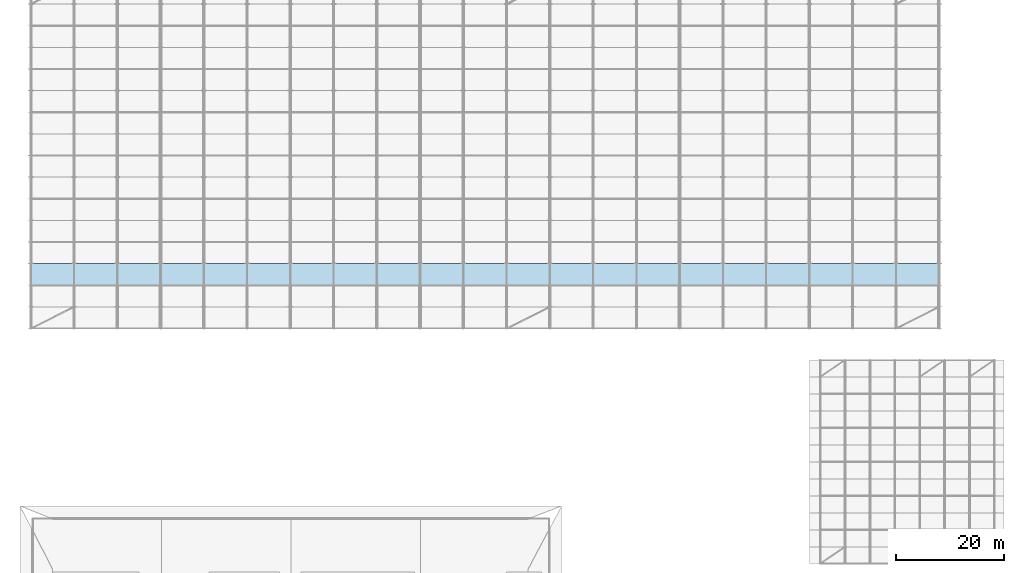
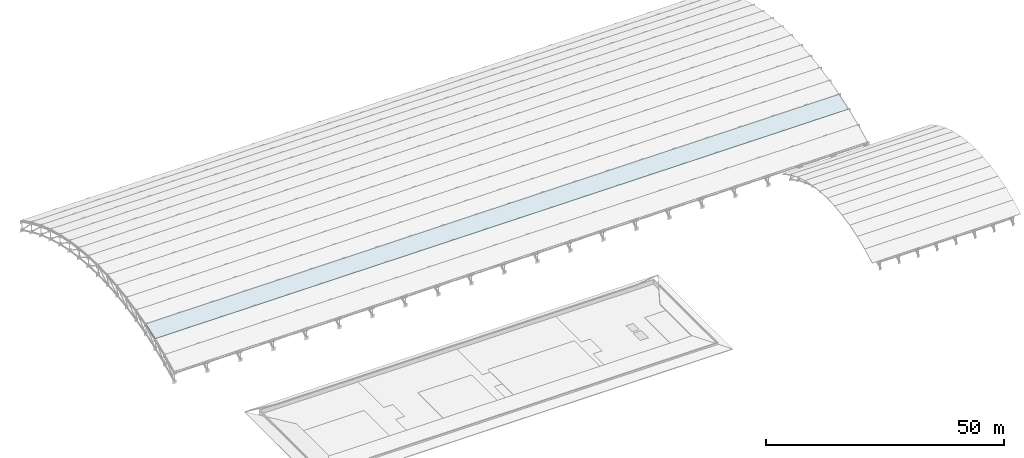
# One storey, part 66 of 98: 1 slab.
"""IFC4 building model written with IfcOpenShell, lengths in metres."""

from ifc_helpers import new_model, si_unit, direction, frame, origin, place, context, subcontext, project, spatial, polyline, outline, extrude, material, layer, layer_set, type_object, element, save


model = new_model("IFC4")

# Units and contexts
model_context = context("Model", 3, precision=1e-05, world=origin(), true_north=direction((0.0, 1.0)))
body_context = subcontext(model_context, "Body", "Model", "MODEL_VIEW")
ifc_project = project(units=[si_unit("LENGTHUNIT", "METRE"), si_unit("AREAUNIT", "SQUARE_METRE"), si_unit("VOLUMEUNIT", "CUBIC_METRE"), si_unit("PLANEANGLEUNIT", "RADIAN"), si_unit("MASSUNIT", "GRAM", prefix="KILO")], contexts=[model_context])

# Site, building, storey
site_placement = place(None, origin())
site = spatial("IfcSite", under=ifc_project, at=site_placement, CompositionType="ELEMENT")
building_placement = place(site_placement, origin())
building = spatial("IfcBuilding", under=site, at=building_placement, Name="Tlacozan Convention Centre", CompositionType="ELEMENT")
storey_placement = place(building_placement, frame((0.0, 0.0, 25.800048828125)))
storey = spatial("IfcBuildingStorey", under=building, at=storey_placement, Name="Roof", CompositionType="ELEMENT", Elevation=25.800048828125)

# Slab
ifc_material = material(Name="Concrete C40/50", Category="concrete")
ifc_layer = layer(ifc_material, 0.179931640625)
ifc_layer_set = layer_set([ifc_layer], Name="Concrete C40/50")
slab_type = type_object("IfcSlabType", Name="Exhibition Arched Roof Deck 180", PredefinedType="ROOF", material=ifc_layer_set)
slab_placement = place(storey_placement, frame((0.0, 70.0, -6.666259765625), z_axis=(0.0, -0.323684958077, 0.946164915813), x_axis=(1.0, 0.0, 0.0)))
element("IfcSlab", 1, at=slab_placement, inside=storey, type_object=slab_type, Name="V2A Arched Roof Facet Slab 3", PredefinedType="ROOF", context=body_context, shape_type="SweptSolid", body=[
    extrude(outline(polyline([(0.0, 0.0), (168.0, 0.0), (168.0, 4.227592815111194), (0.0, 4.227592815111194), (0.0, 0.0)])), origin(), (0.0, 0.0, -1.0), 0.179931640625),
])

save(model, "model.ifc")
